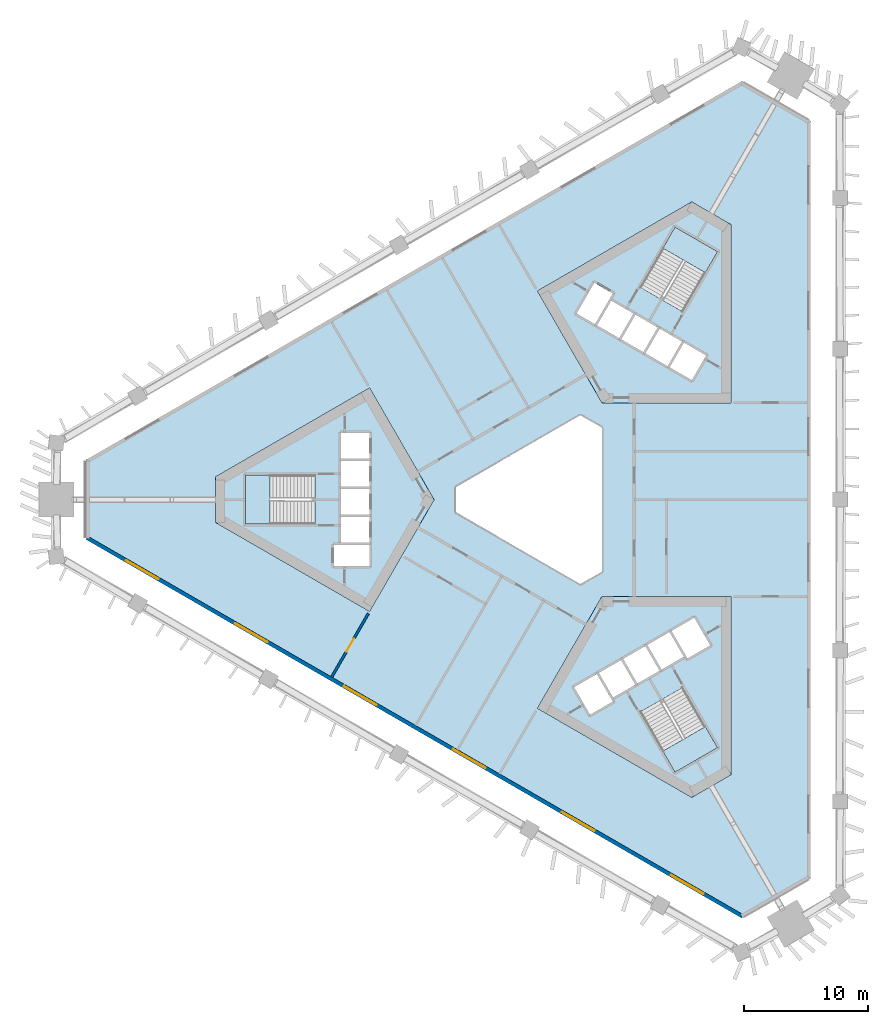
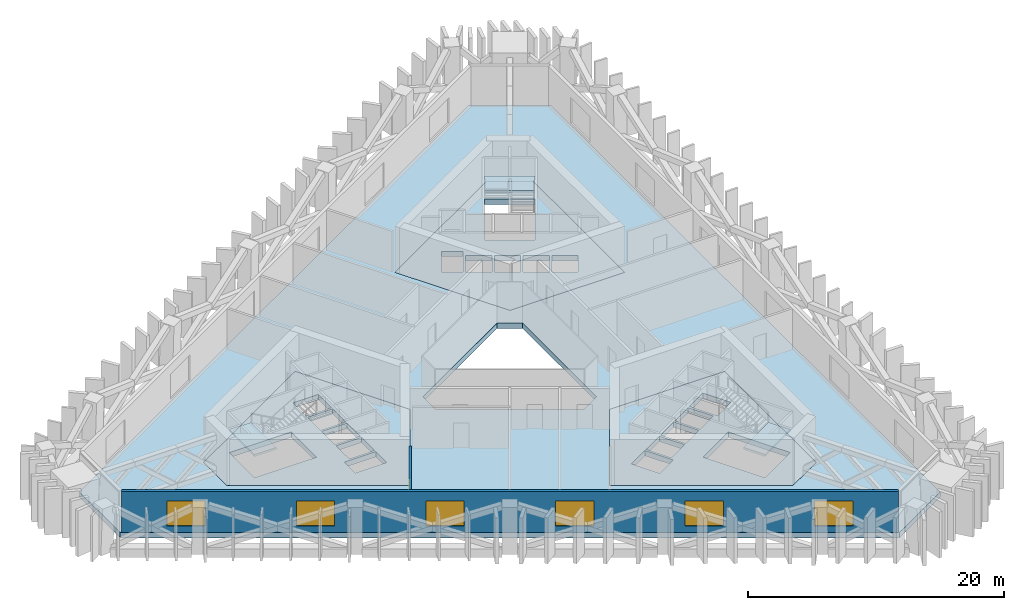
# One storey, part 3 of 9: 7 slabs, 6 windows, 2 walls, 1 door, 7 openings, 3 elements without a shape of their own.
"""IFC4 building model written with IfcOpenShell, lengths in metres."""

from ifc_helpers import new_model, si_unit, direction, frame, frame_2d, origin, place, context, subcontext, project, spatial, polyline, rectangle, outline, extrude, material, layer, layer_set, type_object, element, fill, aggregate, save


model = new_model("IFC4")

# Units and contexts
model_context = context("Model", 3, precision=1e-05, world=origin(), true_north=direction((0.0, 1.0)))
body_context = subcontext(model_context, "Body", "Model", "MODEL_VIEW")
ifc_project = project(units=[si_unit("LENGTHUNIT", "METRE"), si_unit("AREAUNIT", "SQUARE_METRE"), si_unit("VOLUMEUNIT", "CUBIC_METRE"), si_unit("PLANEANGLEUNIT", "RADIAN"), si_unit("MASSUNIT", "GRAM", prefix="KILO")], contexts=[model_context])

# Site, building, storey
site_placement = place(None, origin())
site = spatial("IfcSite", under=ifc_project, at=site_placement, CompositionType="ELEMENT")
building_placement = place(site_placement, origin())
building = spatial("IfcBuilding", under=site, at=building_placement, Name="Jabali Bay Hotel Tower and Convention Centre", CompositionType="ELEMENT")
storey_placement = place(building_placement, frame((0.0, 0.0, 48.5)))
storey = spatial("IfcBuildingStorey", under=building, at=storey_placement, Name="L10", CompositionType="ELEMENT", Elevation=48.5)

# Slabs
ifc_material_1 = material(Name="Concrete C40", Category="concrete")
ifc_layer_1 = layer(ifc_material_1, 0.5)
ifc_layer_set_1 = layer_set([ifc_layer_1], Name="Concrete C40")
slab_type_1 = type_object("IfcSlabType", Name="Core floor slab 500", PredefinedType="FLOOR", material=ifc_layer_set_1)
slab_1_placement = place(storey_placement, frame((0.0, 0.0, -0.5)))
element("IfcSlab", 1, at=slab_1_placement, inside=storey, type_object=slab_type_1, Name="Core floor slab 1 L10", PredefinedType="FLOOR", context=body_context, shape_type="SweptSolid", body=[
    extrude(outline(polyline([(66.0, 80.0), (60.81005859375, 88.9892578125), (48.39697265625, 81.82275390625), (48.39697265625, 78.17724609375), (60.81005859375, 71.0107421875), (66.0, 80.0)]), holes=[polyline([(60.800048828125, 74.64990234375), (60.800048828125, 76.35009765625), (57.949951171875, 76.35009765625), (57.949951171875, 74.64990234375), (60.800048828125, 74.64990234375)]), polyline([(58.52001953125, 76.550048828125), (60.800048828125, 76.550048828125), (60.800048828125, 78.60009765625), (58.52001953125, 78.60009765625), (58.52001953125, 76.550048828125)]), polyline([(58.52001953125, 78.800048828125), (60.800048828125, 78.800048828125), (60.800048828125, 80.85009765625), (58.52001953125, 80.85009765625), (58.52001953125, 78.800048828125)]), polyline([(56.409912109375, 81.97509765625), (50.820068359375, 81.97509765625), (50.820068359375, 78.02490234375), (56.409912109375, 78.02490234375), (56.409912109375, 81.97509765625)]), polyline([(58.52001953125, 81.050048828125), (60.800048828125, 81.050048828125), (60.800048828125, 83.10009765625), (58.52001953125, 83.10009765625), (58.52001953125, 81.050048828125)]), polyline([(58.52001953125, 83.300048828125), (60.800048828125, 83.300048828125), (60.800048828125, 85.35009765625), (58.52001953125, 85.35009765625), (58.52001953125, 83.300048828125)])]), origin(), (0.0, 0.0, 1.0), 0.5),
])
slab_2_placement = place(storey_placement, frame((0.0, 0.0, -0.5)))
element("IfcSlab", 2, at=slab_2_placement, inside=storey, type_object=slab_type_1, Name="Core floor slab 2 L10", PredefinedType="FLOOR", context=body_context, shape_type="SweptSolid", body=[
    extrude(outline(polyline([(79.5, 87.794189453125), (89.8798828125, 87.794189453125), (89.8798828125, 102.127685546875), (86.72314453125, 103.9501953125), (74.31005859375, 96.78369140625), (79.5, 87.794189453125)]), holes=[polyline([(84.957763671875, 90.6474609375), (86.733154296875, 89.62255859375), (87.873291015625, 91.59716796875), (86.097900390625, 92.6220703125), (84.957763671875, 90.6474609375)]), polyline([(84.1494140625, 93.7470703125), (83.00927734375, 91.7724609375), (84.78466796875, 90.74755859375), (85.924560546875, 92.72216796875), (84.1494140625, 93.7470703125)]), polyline([(82.20068359375, 94.8720703125), (81.060791015625, 92.8974609375), (82.836181640625, 91.87255859375), (83.97607421875, 93.84716796875), (82.20068359375, 94.8720703125)]), polyline([(79.1123046875, 94.0224609375), (80.887451171875, 92.99755859375), (82.027587890625, 94.97216796875), (80.252197265625, 95.9970703125), (79.1123046875, 94.0224609375)]), polyline([(78.891845703125, 97.440673828125), (77.466796875, 94.97265625), (78.93896484375, 94.12255859375), (80.364013671875, 96.5908203125), (78.891845703125, 97.440673828125)]), polyline([(82.584716796875, 97.0869140625), (86.00537109375, 95.11181640625), (88.80029296875, 99.952880859375), (85.379638671875, 101.927978515625), (82.584716796875, 97.0869140625)])]), origin(), (0.0, 0.0, 1.0), 0.5),
])
slab_3_placement = place(storey_placement, frame((0.0, 0.0, -0.5)))
element("IfcSlab", 3, at=slab_3_placement, inside=storey, type_object=slab_type_1, Name="Core floor slab 3 L10", PredefinedType="FLOOR", context=body_context, shape_type="SweptSolid", body=[
    extrude(outline(polyline([(79.5, 72.205810546875), (74.31005859375, 63.21630859375), (86.72314453125, 56.0498046875), (89.8798828125, 57.872314453125), (89.8798828125, 72.205810546875), (79.5, 72.205810546875)]), holes=[polyline([(82.584716796875, 62.9130859375), (85.379638671875, 58.072021484375), (88.80029296875, 60.047119140625), (86.00537109375, 64.88818359375), (82.584716796875, 62.9130859375)]), polyline([(80.365478515625, 63.756591796875), (79.090576171875, 65.96484375), (77.27197265625, 64.9150390625), (78.546875, 62.70654296875), (80.365478515625, 63.756591796875)]), polyline([(82.17919921875, 65.115478515625), (81.0390625, 67.08984375), (79.263671875, 66.06494140625), (80.40380859375, 64.09033203125), (82.17919921875, 65.115478515625)]), polyline([(82.98779296875, 68.21484375), (81.21240234375, 67.18994140625), (82.352294921875, 65.21533203125), (84.127685546875, 66.240478515625), (82.98779296875, 68.21484375)]), polyline([(86.076171875, 67.365478515625), (84.936279296875, 69.33984375), (83.160888671875, 68.31494140625), (84.30078125, 66.34033203125), (86.076171875, 67.365478515625)]), polyline([(88.203125, 68.281494140625), (86.927978515625, 70.489990234375), (85.109375, 69.43994140625), (86.384521484375, 67.231689453125), (88.203125, 68.281494140625)])]), origin(), (0.0, 0.0, 1.0), 0.5),
])
ifc_layer_2 = layer(ifc_material_1, 0.5)
ifc_layer_set_2 = layer_set([ifc_layer_2], Name="Concrete C40")
slab_type_2 = type_object("IfcSlabType", Name="Post-tensioned flat slab 500", PredefinedType="FLOOR", material=ifc_layer_set_2)
slab_4_placement = place(storey_placement, frame((0.0, 0.0, -0.5)))
element("IfcSlab", 4, at=slab_4_placement, inside=storey, type_object=slab_type_2, Name="Floor slab L10", PredefinedType="FLOOR", context=body_context, shape_type="SweptSolid", body=[
    extrude(outline(polyline([(90.74267578125, 113.656982421875), (96.276611328125, 110.4619140625), (96.276611328125, 49.5380859375), (90.74267578125, 46.343017578125), (37.98095703125, 76.804931640625), (37.98095703125, 83.195068359375), (90.74267578125, 113.656982421875)]), holes=[polyline([(67.73193359375, 79.0), (77.76806640625, 73.205810546875), (79.5, 74.205810546875), (79.5, 85.794189453125), (77.76806640625, 86.794189453125), (67.73193359375, 81.0), (67.73193359375, 79.0)]), polyline([(48.39697265625, 78.17724609375), (60.81005859375, 71.0107421875), (66.0, 80.0), (60.81005859375, 88.9892578125), (48.39697265625, 81.82275390625), (48.39697265625, 78.17724609375)]), polyline([(89.8798828125, 102.127685546875), (86.72314453125, 103.9501953125), (74.31005859375, 96.78369140625), (79.5, 87.794189453125), (89.8798828125, 87.794189453125), (89.8798828125, 102.127685546875)]), polyline([(74.31005859375, 63.21630859375), (86.72314453125, 56.0498046875), (89.8798828125, 57.872314453125), (89.8798828125, 72.205810546875), (79.5, 72.205810546875), (74.31005859375, 63.21630859375)])]), origin(), (0.0, 0.0, 1.0), 0.5),
])

# Stair, slab
stair_type = type_object("IfcStairType", Name="Exit stair 1900", PredefinedType="HALF_TURN_STAIR", material=ifc_material_1)
stair_1_placement = place(storey_placement, origin())
stair_1 = element("IfcStair", 5, at=stair_1_placement, inside=storey, type_object=stair_type, Name="L10 Exit Stair 1", PredefinedType="HALF_TURN_STAIR")
ifc_layer_3 = layer(ifc_material_1, 0.199951171875)
ifc_layer_set_3 = layer_set([ifc_layer_3], Name="Concrete C40")
slab_type_3 = type_object("IfcSlabType", Name="Stair landing 200", PredefinedType="LANDING", material=ifc_layer_set_3)
slab_5_placement = place(storey_placement, frame((0.0, 0.0, 2.0)))
slab_5 = element("IfcSlab", 6, at=slab_5_placement, type_object=slab_type_3, Name="ST1 landing 1", PredefinedType="LANDING", context=body_context, shape_type="SweptSolid", body=[
    extrude(outline(polyline([(52.782958984375, 81.97509765625), (50.820068359375, 81.97509765625), (50.820068359375, 78.02490234375), (52.782958984375, 78.02490234375), (52.782958984375, 81.97509765625)])), origin(), (0.0, 0.0, 1.0), 0.199951171875),
])
aggregate(stair_1, [slab_5])

stair_2_placement = place(storey_placement, origin())
stair_2 = element("IfcStair", 7, at=stair_2_placement, inside=storey, type_object=stair_type, Name="L10 Exit Stair 2", PredefinedType="HALF_TURN_STAIR")
slab_6_placement = place(storey_placement, frame((0.0, 0.0, 2.0)))
slab_6 = element("IfcSlab", 8, at=slab_6_placement, type_object=slab_type_3, Name="ST2 landing 1", PredefinedType="LANDING", context=body_context, shape_type="SweptSolid", body=[
    extrude(outline(polyline([(87.81884765625, 98.2529296875), (88.80029296875, 99.952880859375), (85.379638671875, 101.927978515625), (84.398193359375, 100.22802734375), (87.81884765625, 98.2529296875)])), origin(), (0.0, 0.0, 1.0), 0.199951171875),
])
aggregate(stair_2, [slab_6])

stair_3_placement = place(storey_placement, origin())
stair_3 = element("IfcStair", 9, at=stair_3_placement, inside=storey, type_object=stair_type, Name="L10 Exit Stair 3", PredefinedType="HALF_TURN_STAIR")
slab_7_placement = place(storey_placement, frame((0.0, 0.0, 2.0)))
slab_7 = element("IfcSlab", 10, at=slab_7_placement, type_object=slab_type_3, Name="ST3 landing 1", PredefinedType="LANDING", context=body_context, shape_type="SweptSolid", body=[
    extrude(outline(polyline([(84.398193359375, 59.77197265625), (85.379638671875, 58.072021484375), (88.80029296875, 60.047119140625), (87.81884765625, 61.7470703125), (84.398193359375, 59.77197265625)])), origin(), (0.0, 0.0, 1.0), 0.199951171875),
])
aggregate(stair_3, [slab_7])

# Wall, openings, windows
ifc_layer_4 = layer(ifc_material_1, 0.300048828125)
ifc_layer_set_4 = layer_set([ifc_layer_4], Name="Concrete C40")
wall_type_1 = type_object("IfcWallType", Name="External wall 300", PredefinedType="SOLIDWALL", material=ifc_layer_set_4)
wall_1_placement = place(storey_placement, frame((90.74267578125, 46.51611328125, 0.0), z_axis=(0.0, 0.0, 1.0), x_axis=(-0.866025105017, 0.50000051748, 0.0)))
wall_1 = element("IfcWall", 11, at=wall_1_placement, inside=storey, type_object=wall_type_1, Name="External wall south-west face L10", PredefinedType="SOLIDWALL", context=body_context, shape_type="SweptSolid", body=[
    extrude(rectangle(XDim=60.7509765625, YDim=0.300048828125, at=frame_2d((30.37548828125, 0.0))), origin(), (0.0, 0.0, 1.0), 3.89990234375),
])
opening_1_placement = place(wall_1_placement, frame((3.5625, 0.0, 0.60009765625)))
opening_1 = element("IfcOpeningElement", 12, at=opening_1_placement, cuts=wall_1, Name="Opening W2", PredefinedType="OPENING", context=body_context, shape_type="SweptSolid", body=[
    extrude(rectangle(XDim=3.0, YDim=2.39990234375, at=frame_2d((1.5, 1.199951171875))), frame((0.0, 0.16064453125, 0.0), z_axis=(0.0, -1.0, 0.0), x_axis=(1.0, 0.0, 0.0)), (0.0, 0.0, 1.0), 0.321044921875),
])
opening_2_placement = place(wall_1_placement, frame((13.687744140625, 0.0, 0.60009765625)))
opening_2 = element("IfcOpeningElement", 13, at=opening_2_placement, cuts=wall_1, Name="Opening W2", PredefinedType="OPENING", context=body_context, shape_type="SweptSolid", body=[
    extrude(rectangle(XDim=3.0, YDim=2.39990234375, at=frame_2d((1.5, 1.199951171875))), frame((0.0, 0.16064453125, 0.0), z_axis=(0.0, -1.0, 0.0), x_axis=(1.0, 0.0, 0.0)), (0.0, 0.0, 1.0), 0.321044921875),
])
opening_3_placement = place(wall_1_placement, frame((23.812744140625, 0.0, 0.60009765625)))
opening_3 = element("IfcOpeningElement", 14, at=opening_3_placement, cuts=wall_1, Name="Opening W2", PredefinedType="OPENING", context=body_context, shape_type="SweptSolid", body=[
    extrude(rectangle(XDim=3.0, YDim=2.39990234375, at=frame_2d((1.5, 1.199951171875))), frame((0.0, 0.16064453125, 0.0), z_axis=(0.0, -1.0, 0.0), x_axis=(1.0, 0.0, 0.0)), (0.0, 0.0, 1.0), 0.321044921875),
])
opening_4_placement = place(wall_1_placement, frame((33.93798828125, 0.0, 0.60009765625)))
opening_4 = element("IfcOpeningElement", 15, at=opening_4_placement, cuts=wall_1, Name="Opening W2", PredefinedType="OPENING", context=body_context, shape_type="SweptSolid", body=[
    extrude(rectangle(XDim=3.0, YDim=2.39990234375, at=frame_2d((1.5, 1.199951171875))), frame((0.0, 0.16064453125, 0.0), z_axis=(0.0, -1.0, 0.0), x_axis=(1.0, 0.0, 0.0)), (0.0, 0.0, 1.0), 0.321044921875),
])
opening_5_placement = place(wall_1_placement, frame((44.063232421875, 0.0, 0.60009765625)))
opening_5 = element("IfcOpeningElement", 16, at=opening_5_placement, cuts=wall_1, Name="Opening W2", PredefinedType="OPENING", context=body_context, shape_type="SweptSolid", body=[
    extrude(rectangle(XDim=3.0, YDim=2.39990234375, at=frame_2d((1.5, 1.199951171875))), frame((0.0, 0.16064453125, 0.0), z_axis=(0.0, -1.0, 0.0), x_axis=(1.0, 0.0, 0.0)), (0.0, 0.0, 1.0), 0.321044921875),
])
opening_6_placement = place(wall_1_placement, frame((54.188232421875, 0.0, 0.60009765625)))
opening_6 = element("IfcOpeningElement", 17, at=opening_6_placement, cuts=wall_1, Name="Opening W2", PredefinedType="OPENING", context=body_context, shape_type="SweptSolid", body=[
    extrude(rectangle(XDim=3.0, YDim=2.39990234375, at=frame_2d((1.5, 1.199951171875))), frame((0.0, 0.16064453125, 0.0), z_axis=(0.0, -1.0, 0.0), x_axis=(1.0, 0.0, 0.0)), (0.0, 0.0, 1.0), 0.321044921875),
])
ifc_material_2 = material(Name="Aluminium", Category="aluminium")
window_type = type_object("IfcWindowType", Name="Louvred ventilation panel 3000 x 2400", PartitioningType="SINGLE_PANEL", PredefinedType="WINDOW", material=ifc_material_2)
window_1_placement = place(opening_1_placement, origin())
window_1 = element("IfcWindow", 18, at=window_1_placement, inside=storey, type_object=window_type, Name="Louvred panel 1", OverallHeight=2.39990234375, OverallWidth=3.0, PartitioningType="SINGLE_PANEL", PredefinedType="WINDOW", context=body_context, shape_type="SweptSolid", body=[
    extrude(rectangle(XDim=3.0, YDim=2.39990234375, at=frame_2d((1.5, 1.199951171875))), frame((0.0, 0.030029296875, 0.0), z_axis=(0.0, -1.0, 0.0), x_axis=(1.0, 0.0, 0.0)), (0.0, 0.0, 1.0), 0.06005859375),
])
fill(opening_1, window_1)
window_2_placement = place(opening_2_placement, origin())
window_2 = element("IfcWindow", 19, at=window_2_placement, inside=storey, type_object=window_type, Name="Louvred panel 2", OverallHeight=2.39990234375, OverallWidth=3.0, PartitioningType="SINGLE_PANEL", PredefinedType="WINDOW", context=body_context, shape_type="SweptSolid", body=[
    extrude(rectangle(XDim=3.0, YDim=2.39990234375, at=frame_2d((1.5, 1.199951171875))), frame((0.0, 0.030029296875, 0.0), z_axis=(0.0, -1.0, 0.0), x_axis=(1.0, 0.0, 0.0)), (0.0, 0.0, 1.0), 0.06005859375),
])
fill(opening_2, window_2)
window_3_placement = place(opening_3_placement, origin())
window_3 = element("IfcWindow", 20, at=window_3_placement, inside=storey, type_object=window_type, Name="Louvred panel 3", OverallHeight=2.39990234375, OverallWidth=3.0, PartitioningType="SINGLE_PANEL", PredefinedType="WINDOW", context=body_context, shape_type="SweptSolid", body=[
    extrude(rectangle(XDim=3.0, YDim=2.39990234375, at=frame_2d((1.5, 1.199951171875))), frame((0.0, 0.030029296875, 0.0), z_axis=(0.0, -1.0, 0.0), x_axis=(1.0, 0.0, 0.0)), (0.0, 0.0, 1.0), 0.06005859375),
])
fill(opening_3, window_3)
window_4_placement = place(opening_4_placement, origin())
window_4 = element("IfcWindow", 21, at=window_4_placement, inside=storey, type_object=window_type, Name="Louvred panel 4", OverallHeight=2.39990234375, OverallWidth=3.0, PartitioningType="SINGLE_PANEL", PredefinedType="WINDOW", context=body_context, shape_type="SweptSolid", body=[
    extrude(rectangle(XDim=3.0, YDim=2.39990234375, at=frame_2d((1.5, 1.199951171875))), frame((0.0, 0.030029296875, 0.0), z_axis=(0.0, -1.0, 0.0), x_axis=(1.0, 0.0, 0.0)), (0.0, 0.0, 1.0), 0.06005859375),
])
fill(opening_4, window_4)
window_5_placement = place(opening_5_placement, origin())
window_5 = element("IfcWindow", 22, at=window_5_placement, inside=storey, type_object=window_type, Name="Louvred panel 5", OverallHeight=2.39990234375, OverallWidth=3.0, PartitioningType="SINGLE_PANEL", PredefinedType="WINDOW", context=body_context, shape_type="SweptSolid", body=[
    extrude(rectangle(XDim=3.0, YDim=2.39990234375, at=frame_2d((1.5, 1.199951171875))), frame((0.0, 0.030029296875, 0.0), z_axis=(0.0, -1.0, 0.0), x_axis=(1.0, 0.0, 0.0)), (0.0, 0.0, 1.0), 0.06005859375),
])
fill(opening_5, window_5)
window_6_placement = place(opening_6_placement, origin())
window_6 = element("IfcWindow", 23, at=window_6_placement, inside=storey, type_object=window_type, Name="Louvred panel 6", OverallHeight=2.39990234375, OverallWidth=3.0, PartitioningType="SINGLE_PANEL", PredefinedType="WINDOW", context=body_context, shape_type="SweptSolid", body=[
    extrude(rectangle(XDim=3.0, YDim=2.39990234375, at=frame_2d((1.5, 1.199951171875))), frame((0.0, 0.030029296875, 0.0), z_axis=(0.0, -1.0, 0.0), x_axis=(1.0, 0.0, 0.0)), (0.0, 0.0, 1.0), 0.06005859375),
])
fill(opening_6, window_6)

# Wall, opening, door
ifc_material_3 = material(Name="Plasterboard on steel stud", Category="steel")
ifc_layer_5 = layer(ifc_material_3, 0.199951171875)
ifc_layer_set_5 = layer_set([ifc_layer_5], Name="Plasterboard on steel stud")
wall_type_2 = type_object("IfcWallType", Name="Partition 200 refuge", PredefinedType="PARTITIONING", material=ifc_layer_set_5)
wall_2_placement = place(storey_placement, frame((57.76123046875, 65.72998046875, 0.0), z_axis=(0.0, 0.0, 1.0), x_axis=(0.499985191823, 0.866033953121, 0.0)))
wall_2 = element("IfcWall", 24, at=wall_2_placement, inside=storey, type_object=wall_type_2, Name="Partition P05 L10 013", PredefinedType="PARTITIONING", context=body_context, shape_type="SweptSolid", body=[
    extrude(rectangle(XDim=5.898681640625, YDim=0.199951171875, at=frame_2d((2.94921875, 0.0))), origin(), (0.0, 0.0, 1.0), 3.89990234375),
])
opening_7_placement = place(wall_2_placement, frame((2.34912109375, 0.0, 0.0)))
opening_7 = element("IfcOpeningElement", 25, at=opening_7_placement, cuts=wall_2, Name="Opening 1013", PredefinedType="OPENING", context=body_context, shape_type="SweptSolid", body=[
    extrude(rectangle(XDim=1.199951171875, YDim=2.39990234375, at=frame_2d((0.60009765625, 1.199951171875))), frame((0.0, 0.1103515625, 0.0), z_axis=(0.0, -1.0, 0.0), x_axis=(1.0, 0.0, 0.0)), (0.0, 0.0, 1.0), 0.220947265625),
])
ifc_material_4 = material(Name="Timber", Category="wood")
door_type = type_object("IfcDoorType", Name="Public room door 1200 x 2400", OperationType="NOTDEFINED", PredefinedType="NOTDEFINED", material=ifc_material_4)
door_placement = place(opening_7_placement, origin())
door = element("IfcDoor", 26, at=door_placement, inside=storey, type_object=door_type, Name="Door 1013", OperationType="SINGLE_SWING_RIGHT", OverallHeight=2.39990234375, OverallWidth=1.199951171875, PredefinedType="NOTDEFINED", context=body_context, shape_type="SweptSolid", body=[
    extrude(rectangle(XDim=1.199951171875, YDim=2.39990234375, at=frame_2d((0.60009765625, 1.199951171875))), frame((0.0, 0.02490234375, 0.0), z_axis=(0.0, -1.0, 0.0), x_axis=(1.0, 0.0, 0.0)), (0.0, 0.0, 1.0), 0.050048828125),
])
fill(opening_7, door)

save(model, "model.ifc")
